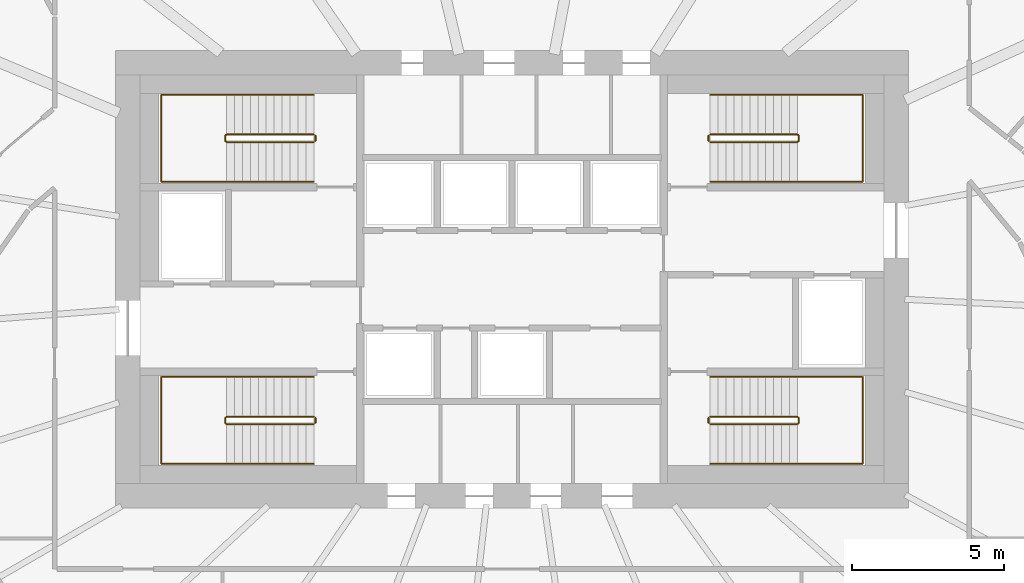
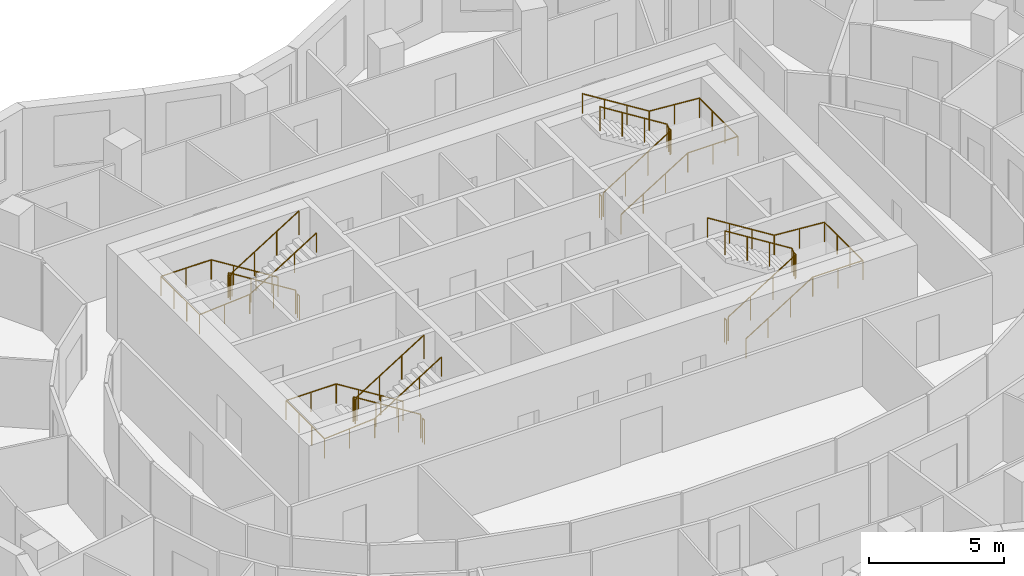
# One storey, part 11 of 11: 12 railings.
"""IFC4 building model written with IfcOpenShell, lengths in metres."""

from ifc_helpers import new_model, si_unit, direction, frame, origin, origin_2d, place, context, subcontext, project, spatial, circle, extrude, material, type_object, element, save


model = new_model("IFC4")

# Units and contexts
model_context = context("Model", 3, precision=1e-05, world=origin(), true_north=direction((0.0, 1.0)))
body_context = subcontext(model_context, "Body", "Model", "MODEL_VIEW")
ifc_project = project(units=[si_unit("LENGTHUNIT", "METRE"), si_unit("AREAUNIT", "SQUARE_METRE"), si_unit("VOLUMEUNIT", "CUBIC_METRE"), si_unit("PLANEANGLEUNIT", "RADIAN"), si_unit("MASSUNIT", "GRAM", prefix="KILO")], contexts=[model_context])

# Site, building, storey
site_placement = place(None, origin())
site = spatial("IfcSite", under=ifc_project, at=site_placement, CompositionType="ELEMENT")
building_placement = place(site_placement, origin())
building = spatial("IfcBuilding", under=site, at=building_placement, Name="Rubra Terraces Tower", CompositionType="ELEMENT")
storey_placement = place(building_placement, frame((0.0, 0.0, 174.0)))
storey = spatial("IfcBuildingStorey", under=building, at=storey_placement, Name="L42", CompositionType="ELEMENT", Elevation=174.0)

# Railings
ifc_material = material(Name="Stainless steel", Category="steel")
railing_type_1 = type_object("IfcRailingType", Name="Core stair guard 1100", PredefinedType="GUARDRAIL", material=ifc_material)
railing_1_placement = place(storey_placement, frame((-6.5, 0.0, 0.16259765625)))
element("IfcRailing", 1, at=railing_1_placement, inside=storey, type_object=railing_type_1, Name="L42 stair S1 guard 1", PredefinedType="GUARDRAIL", context=body_context, shape_type="SweptSolid", body=[
    extrude(circle(Radius=0.02392578125, at=origin_2d()), frame((0.0, 0.0, 1.076171875), z_axis=(-0.848026770018, 0.0, 0.529953391661), x_axis=(0.0, -1.0, 0.0)), (0.0, 0.0, 1.0), 3.37255859375),
    extrude(circle(Radius=0.02392578125, at=origin_2d()), frame((-2.860107421875, 0.0, 2.86328125), z_axis=(-0.705375805398, -0.708833529934, 0.0), x_axis=(0.708833529934, -0.705375805398, 0.0)), (0.0, 0.0, 1.0), 0.070556640625),
    extrude(circle(Radius=0.02392578125, at=origin_2d()), frame((-2.909912109375, -0.050048828125, 2.86328125), z_axis=(0.0, -1.0, 0.0), x_axis=(1.0, 0.0, 0.0)), (0.0, 0.0, 1.0), 0.14990234375),
    extrude(circle(Radius=0.02392578125, at=origin_2d()), frame((-2.909912109375, -0.199951171875, 2.86328125), z_axis=(0.280959487676, -0.282336740067, 0.917250092119), x_axis=(0.708833529934, 0.705375805398, 0.0)), (0.0, 0.0, 1.0), 0.17724609375),
    extrude(circle(Radius=0.02392578125, at=origin_2d()), frame((-2.860107421875, -0.25, 3.02587890625), z_axis=(0.848026770018, 0.0, 0.529953391661), x_axis=(0.0, 1.0, 0.0)), (0.0, 0.0, 1.0), 3.37255859375),
    extrude(circle(Radius=0.02099609375, at=origin_2d()), origin(), (0.0, 0.0, 1.0), 1.052001953125),
    extrude(circle(Radius=0.02099609375, at=origin_2d()), frame((-0.953369140625, 0.0, 0.595703125)), (0.0, 0.0, 1.0), 1.052001953125),
    extrude(circle(Radius=0.02099609375, at=origin_2d()), frame((-1.90673828125, 0.0, 1.191650390625)), (0.0, 0.0, 1.0), 1.052001953125),
    extrude(circle(Radius=0.02099609375, at=origin_2d()), frame((-2.860107421875, 0.0, 1.787353515625)), (0.0, 0.0, 1.0), 1.052001953125),
    extrude(circle(Radius=0.02099609375, at=origin_2d()), frame((-2.909912109375, -0.050048828125, 1.787353515625)), (0.0, 0.0, 1.0), 1.052001953125),
    extrude(circle(Radius=0.02099609375, at=origin_2d()), frame((-2.909912109375, -0.199951171875, 1.787353515625)), (0.0, 0.0, 1.0), 1.052001953125),
    extrude(circle(Radius=0.02099609375, at=origin_2d()), frame((-2.860107421875, -0.25, 1.949951171875)), (0.0, 0.0, 1.0), 1.052001953125),
    extrude(circle(Radius=0.02099609375, at=origin_2d()), frame((-1.90673828125, -0.25, 2.545654296875)), (0.0, 0.0, 1.0), 1.052001953125),
    extrude(circle(Radius=0.02099609375, at=origin_2d()), frame((-0.953369140625, -0.25, 3.1416015625)), (0.0, 0.0, 1.0), 1.052001953125),
    extrude(circle(Radius=0.02099609375, at=origin_2d()), frame((0.0, -0.25, 3.7373046875)), (0.0, 0.0, 1.0), 1.052001953125),
])
railing_2_placement = place(storey_placement, frame((-6.449951171875, -0.050048828125, 0.0)))
element("IfcRailing", 2, at=railing_2_placement, inside=storey, type_object=railing_type_1, Name="L42 stair S1 guard 2", PredefinedType="GUARDRAIL", context=body_context, shape_type="SweptSolid", body=[
    extrude(circle(Radius=0.02392578125, at=origin_2d()), frame((0.0, 0.0, 1.076171875), z_axis=(0.0, -1.0, 0.0), x_axis=(1.0, 0.0, 0.0)), (0.0, 0.0, 1.0), 0.14990234375),
    extrude(circle(Radius=0.02099609375, at=origin_2d()), origin(), (0.0, 0.0, 1.0), 1.052001953125),
    extrude(circle(Radius=0.02099609375, at=origin_2d()), frame((0.0, -0.14990234375, 0.0)), (0.0, 0.0, 1.0), 1.052001953125),
])
railing_3_placement = place(storey_placement, frame((-6.5, 9.25, 0.16259765625)))
element("IfcRailing", 3, at=railing_3_placement, inside=storey, type_object=railing_type_1, Name="L42 stair S2 guard 1", PredefinedType="GUARDRAIL", context=body_context, shape_type="SweptSolid", body=[
    extrude(circle(Radius=0.02392578125, at=origin_2d()), frame((0.0, 0.0, 1.076171875), z_axis=(-0.848026770018, 0.0, 0.529953391661), x_axis=(0.0, -1.0, 0.0)), (0.0, 0.0, 1.0), 3.37255859375),
    extrude(circle(Radius=0.02392578125, at=origin_2d()), frame((-2.860107421875, 0.0, 2.86328125), z_axis=(-0.705375805398, -0.708833529934, 0.0), x_axis=(0.708833529934, -0.705375805398, 0.0)), (0.0, 0.0, 1.0), 0.070556640625),
    extrude(circle(Radius=0.02392578125, at=origin_2d()), frame((-2.909912109375, -0.050048828125, 2.86328125), z_axis=(0.0, -1.0, 0.0), x_axis=(1.0, 0.0, 0.0)), (0.0, 0.0, 1.0), 0.14990234375),
    extrude(circle(Radius=0.02392578125, at=origin_2d()), frame((-2.909912109375, -0.199951171875, 2.86328125), z_axis=(0.280959487676, -0.282336740067, 0.917250092119), x_axis=(0.708833529934, 0.705375805398, 0.0)), (0.0, 0.0, 1.0), 0.17724609375),
    extrude(circle(Radius=0.02392578125, at=origin_2d()), frame((-2.860107421875, -0.25, 3.02587890625), z_axis=(0.848026770018, 0.0, 0.529953391661), x_axis=(0.0, 1.0, 0.0)), (0.0, 0.0, 1.0), 3.37255859375),
    extrude(circle(Radius=0.02099609375, at=origin_2d()), origin(), (0.0, 0.0, 1.0), 1.052001953125),
    extrude(circle(Radius=0.02099609375, at=origin_2d()), frame((-0.953369140625, 0.0, 0.595703125)), (0.0, 0.0, 1.0), 1.052001953125),
    extrude(circle(Radius=0.02099609375, at=origin_2d()), frame((-1.90673828125, 0.0, 1.191650390625)), (0.0, 0.0, 1.0), 1.052001953125),
    extrude(circle(Radius=0.02099609375, at=origin_2d()), frame((-2.860107421875, 0.0, 1.787353515625)), (0.0, 0.0, 1.0), 1.052001953125),
    extrude(circle(Radius=0.02099609375, at=origin_2d()), frame((-2.909912109375, -0.050048828125, 1.787353515625)), (0.0, 0.0, 1.0), 1.052001953125),
    extrude(circle(Radius=0.02099609375, at=origin_2d()), frame((-2.909912109375, -0.199951171875, 1.787353515625)), (0.0, 0.0, 1.0), 1.052001953125),
    extrude(circle(Radius=0.02099609375, at=origin_2d()), frame((-2.860107421875, -0.25, 1.949951171875)), (0.0, 0.0, 1.0), 1.052001953125),
    extrude(circle(Radius=0.02099609375, at=origin_2d()), frame((-1.90673828125, -0.25, 2.545654296875)), (0.0, 0.0, 1.0), 1.052001953125),
    extrude(circle(Radius=0.02099609375, at=origin_2d()), frame((-0.953369140625, -0.25, 3.1416015625)), (0.0, 0.0, 1.0), 1.052001953125),
    extrude(circle(Radius=0.02099609375, at=origin_2d()), frame((0.0, -0.25, 3.7373046875)), (0.0, 0.0, 1.0), 1.052001953125),
])
railing_4_placement = place(storey_placement, frame((-6.449951171875, 9.199951171875, 0.0)))
element("IfcRailing", 4, at=railing_4_placement, inside=storey, type_object=railing_type_1, Name="L42 stair S2 guard 2", PredefinedType="GUARDRAIL", context=body_context, shape_type="SweptSolid", body=[
    extrude(circle(Radius=0.02392578125, at=origin_2d()), frame((0.0, 0.0, 1.076171875), z_axis=(0.0, -1.0, 0.0), x_axis=(1.0, 0.0, 0.0)), (0.0, 0.0, 1.0), 0.14990234375),
    extrude(circle(Radius=0.02099609375, at=origin_2d()), origin(), (0.0, 0.0, 1.0), 1.052001953125),
    extrude(circle(Radius=0.02099609375, at=origin_2d()), frame((0.0, -0.14990234375, 0.0)), (0.0, 0.0, 1.0), 1.052001953125),
])
railing_5_placement = place(storey_placement, frame((6.5, 9.0, 0.16259765625)))
element("IfcRailing", 5, at=railing_5_placement, inside=storey, type_object=railing_type_1, Name="L42 stair S3 guard 1", PredefinedType="GUARDRAIL", context=body_context, shape_type="SweptSolid", body=[
    extrude(circle(Radius=0.02392578125, at=origin_2d()), frame((0.0, 0.0, 1.076171875), z_axis=(0.848026770018, 0.0, 0.529953391661), x_axis=(0.0, 1.0, 0.0)), (0.0, 0.0, 1.0), 3.37255859375),
    extrude(circle(Radius=0.02392578125, at=origin_2d()), frame((2.860107421875, 0.0, 2.86328125), z_axis=(0.705375805398, 0.708833529934, 0.0), x_axis=(-0.708833529934, 0.705375805398, 0.0)), (0.0, 0.0, 1.0), 0.070556640625),
    extrude(circle(Radius=0.02392578125, at=origin_2d()), frame((2.909912109375, 0.050048828125, 2.86328125), z_axis=(0.0, 1.0, 0.0), x_axis=(-1.0, 0.0, 0.0)), (0.0, 0.0, 1.0), 0.14990234375),
    extrude(circle(Radius=0.02392578125, at=origin_2d()), frame((2.909912109375, 0.199951171875, 2.86328125), z_axis=(-0.280959487676, 0.282336740067, 0.917250092119), x_axis=(-0.708833529934, -0.705375805398, 0.0)), (0.0, 0.0, 1.0), 0.17724609375),
    extrude(circle(Radius=0.02392578125, at=origin_2d()), frame((2.860107421875, 0.25, 3.02587890625), z_axis=(-0.848026770018, 0.0, 0.529953391661), x_axis=(0.0, -1.0, 0.0)), (0.0, 0.0, 1.0), 3.37255859375),
    extrude(circle(Radius=0.02099609375, at=origin_2d()), origin(), (0.0, 0.0, 1.0), 1.052001953125),
    extrude(circle(Radius=0.02099609375, at=origin_2d()), frame((0.953369140625, 0.0, 0.595703125)), (0.0, 0.0, 1.0), 1.052001953125),
    extrude(circle(Radius=0.02099609375, at=origin_2d()), frame((1.90673828125, 0.0, 1.191650390625)), (0.0, 0.0, 1.0), 1.052001953125),
    extrude(circle(Radius=0.02099609375, at=origin_2d()), frame((2.860107421875, 0.0, 1.787353515625)), (0.0, 0.0, 1.0), 1.052001953125),
    extrude(circle(Radius=0.02099609375, at=origin_2d()), frame((2.909912109375, 0.050048828125, 1.787353515625)), (0.0, 0.0, 1.0), 1.052001953125),
    extrude(circle(Radius=0.02099609375, at=origin_2d()), frame((2.909912109375, 0.199951171875, 1.787353515625)), (0.0, 0.0, 1.0), 1.052001953125),
    extrude(circle(Radius=0.02099609375, at=origin_2d()), frame((2.860107421875, 0.25, 1.949951171875)), (0.0, 0.0, 1.0), 1.052001953125),
    extrude(circle(Radius=0.02099609375, at=origin_2d()), frame((1.90673828125, 0.25, 2.545654296875)), (0.0, 0.0, 1.0), 1.052001953125),
    extrude(circle(Radius=0.02099609375, at=origin_2d()), frame((0.953369140625, 0.25, 3.1416015625)), (0.0, 0.0, 1.0), 1.052001953125),
    extrude(circle(Radius=0.02099609375, at=origin_2d()), frame((0.0, 0.25, 3.7373046875)), (0.0, 0.0, 1.0), 1.052001953125),
])
railing_6_placement = place(storey_placement, frame((6.449951171875, 9.050048828125, 0.0)))
element("IfcRailing", 6, at=railing_6_placement, inside=storey, type_object=railing_type_1, Name="L42 stair S3 guard 2", PredefinedType="GUARDRAIL", context=body_context, shape_type="SweptSolid", body=[
    extrude(circle(Radius=0.02392578125, at=origin_2d()), frame((0.0, 0.0, 1.076171875), z_axis=(0.0, 1.0, 0.0), x_axis=(-1.0, 0.0, 0.0)), (0.0, 0.0, 1.0), 0.14990234375),
    extrude(circle(Radius=0.02099609375, at=origin_2d()), origin(), (0.0, 0.0, 1.0), 1.052001953125),
    extrude(circle(Radius=0.02099609375, at=origin_2d()), frame((0.0, 0.14990234375, 0.0)), (0.0, 0.0, 1.0), 1.052001953125),
])
railing_7_placement = place(storey_placement, frame((6.5, -0.25, 0.16259765625)))
element("IfcRailing", 7, at=railing_7_placement, inside=storey, type_object=railing_type_1, Name="L42 stair S4 guard 1", PredefinedType="GUARDRAIL", context=body_context, shape_type="SweptSolid", body=[
    extrude(circle(Radius=0.02392578125, at=origin_2d()), frame((0.0, 0.0, 1.076171875), z_axis=(0.848026770018, 0.0, 0.529953391661), x_axis=(0.0, 1.0, 0.0)), (0.0, 0.0, 1.0), 3.37255859375),
    extrude(circle(Radius=0.02392578125, at=origin_2d()), frame((2.860107421875, 0.0, 2.86328125), z_axis=(0.705375805398, 0.708833529934, 0.0), x_axis=(-0.708833529934, 0.705375805398, 0.0)), (0.0, 0.0, 1.0), 0.070556640625),
    extrude(circle(Radius=0.02392578125, at=origin_2d()), frame((2.909912109375, 0.050048828125, 2.86328125), z_axis=(0.0, 1.0, 0.0), x_axis=(-1.0, 0.0, 0.0)), (0.0, 0.0, 1.0), 0.14990234375),
    extrude(circle(Radius=0.02392578125, at=origin_2d()), frame((2.909912109375, 0.199951171875, 2.86328125), z_axis=(-0.280959487676, 0.282336740067, 0.917250092119), x_axis=(-0.708833529934, -0.705375805398, 0.0)), (0.0, 0.0, 1.0), 0.17724609375),
    extrude(circle(Radius=0.02392578125, at=origin_2d()), frame((2.860107421875, 0.25, 3.02587890625), z_axis=(-0.848026770018, 0.0, 0.529953391661), x_axis=(0.0, -1.0, 0.0)), (0.0, 0.0, 1.0), 3.37255859375),
    extrude(circle(Radius=0.02099609375, at=origin_2d()), origin(), (0.0, 0.0, 1.0), 1.052001953125),
    extrude(circle(Radius=0.02099609375, at=origin_2d()), frame((0.953369140625, 0.0, 0.595703125)), (0.0, 0.0, 1.0), 1.052001953125),
    extrude(circle(Radius=0.02099609375, at=origin_2d()), frame((1.90673828125, 0.0, 1.191650390625)), (0.0, 0.0, 1.0), 1.052001953125),
    extrude(circle(Radius=0.02099609375, at=origin_2d()), frame((2.860107421875, 0.0, 1.787353515625)), (0.0, 0.0, 1.0), 1.052001953125),
    extrude(circle(Radius=0.02099609375, at=origin_2d()), frame((2.909912109375, 0.050048828125, 1.787353515625)), (0.0, 0.0, 1.0), 1.052001953125),
    extrude(circle(Radius=0.02099609375, at=origin_2d()), frame((2.909912109375, 0.199951171875, 1.787353515625)), (0.0, 0.0, 1.0), 1.052001953125),
    extrude(circle(Radius=0.02099609375, at=origin_2d()), frame((2.860107421875, 0.25, 1.949951171875)), (0.0, 0.0, 1.0), 1.052001953125),
    extrude(circle(Radius=0.02099609375, at=origin_2d()), frame((1.90673828125, 0.25, 2.545654296875)), (0.0, 0.0, 1.0), 1.052001953125),
    extrude(circle(Radius=0.02099609375, at=origin_2d()), frame((0.953369140625, 0.25, 3.1416015625)), (0.0, 0.0, 1.0), 1.052001953125),
    extrude(circle(Radius=0.02099609375, at=origin_2d()), frame((0.0, 0.25, 3.7373046875)), (0.0, 0.0, 1.0), 1.052001953125),
])
railing_8_placement = place(storey_placement, frame((6.449951171875, -0.199951171875, 0.0)))
element("IfcRailing", 8, at=railing_8_placement, inside=storey, type_object=railing_type_1, Name="L42 stair S4 guard 2", PredefinedType="GUARDRAIL", context=body_context, shape_type="SweptSolid", body=[
    extrude(circle(Radius=0.02392578125, at=origin_2d()), frame((0.0, 0.0, 1.076171875), z_axis=(0.0, 1.0, 0.0), x_axis=(-1.0, 0.0, 0.0)), (0.0, 0.0, 1.0), 0.14990234375),
    extrude(circle(Radius=0.02099609375, at=origin_2d()), origin(), (0.0, 0.0, 1.0), 1.052001953125),
    extrude(circle(Radius=0.02099609375, at=origin_2d()), frame((0.0, 0.14990234375, 0.0)), (0.0, 0.0, 1.0), 1.052001953125),
])
railing_type_2 = type_object("IfcRailingType", Name="Core stair handrail 900", PredefinedType="HANDRAIL", material=ifc_material)
railing_9_placement = place(storey_placement, frame((-6.5, 1.300048828125, 0.16259765625)))
element("IfcRailing", 9, at=railing_9_placement, inside=storey, type_object=railing_type_2, Name="L42 stair S1 handrail 1", PredefinedType="HANDRAIL", context=body_context, shape_type="SweptSolid", body=[
    extrude(circle(Radius=0.02392578125, at=origin_2d()), frame((0.0, 0.0, 0.8759765625), z_axis=(-0.848026770018, 0.0, 0.529953391661), x_axis=(0.0, -1.0, 0.0)), (0.0, 0.0, 1.0), 3.37255859375),
    extrude(circle(Radius=0.02392578125, at=origin_2d()), frame((-2.860107421875, 0.0, 2.6630859375), z_axis=(-1.0, 0.0, 0.0), x_axis=(0.0, -1.0, 0.0)), (0.0, 0.0, 1.0), 2.139892578125),
    extrude(circle(Radius=0.02392578125, at=origin_2d()), frame((-5.0, 0.0, 2.6630859375), z_axis=(0.0, -1.0, 0.0), x_axis=(1.0, 0.0, 0.0)), (0.0, 0.0, 1.0), 2.85009765625),
    extrude(circle(Radius=0.02392578125, at=origin_2d()), frame((-5.0, -2.85009765625, 2.6630859375), z_axis=(0.997125654253, 0.0, 0.075765623016), x_axis=(0.0, 1.0, 0.0)), (0.0, 0.0, 1.0), 2.14599609375),
    extrude(circle(Radius=0.02392578125, at=origin_2d()), frame((-2.860107421875, -2.85009765625, 2.82568359375), z_axis=(0.848026770018, 0.0, 0.529953391661), x_axis=(0.0, 1.0, 0.0)), (0.0, 0.0, 1.0), 3.37255859375),
    extrude(circle(Radius=0.02099609375, at=origin_2d()), origin(), (0.0, 0.0, 1.0), 0.851806640625),
    extrude(circle(Radius=0.02099609375, at=origin_2d()), frame((-0.953369140625, 0.0, 0.595703125)), (0.0, 0.0, 1.0), 0.851806640625),
    extrude(circle(Radius=0.02099609375, at=origin_2d()), frame((-1.90673828125, 0.0, 1.191650390625)), (0.0, 0.0, 1.0), 0.851806640625),
    extrude(circle(Radius=0.02099609375, at=origin_2d()), frame((-2.860107421875, 0.0, 1.787353515625)), (0.0, 0.0, 1.0), 0.851806640625),
    extrude(circle(Radius=0.02099609375, at=origin_2d()), frame((-3.93017578125, 0.0, 1.787353515625)), (0.0, 0.0, 1.0), 0.851806640625),
    extrude(circle(Radius=0.02099609375, at=origin_2d()), frame((-5.0, 0.0, 1.787353515625)), (0.0, 0.0, 1.0), 0.851806640625),
    extrude(circle(Radius=0.02099609375, at=origin_2d()), frame((-5.0, -0.949951171875, 1.787353515625)), (0.0, 0.0, 1.0), 0.851806640625),
    extrude(circle(Radius=0.02099609375, at=origin_2d()), frame((-5.0, -1.900146484375, 1.787353515625)), (0.0, 0.0, 1.0), 0.851806640625),
    extrude(circle(Radius=0.02099609375, at=origin_2d()), frame((-5.0, -2.85009765625, 1.787353515625)), (0.0, 0.0, 1.0), 0.851806640625),
    extrude(circle(Radius=0.02099609375, at=origin_2d()), frame((-3.93017578125, -2.85009765625, 1.86865234375)), (0.0, 0.0, 1.0), 0.851806640625),
    extrude(circle(Radius=0.02099609375, at=origin_2d()), frame((-2.860107421875, -2.85009765625, 1.949951171875)), (0.0, 0.0, 1.0), 0.851806640625),
    extrude(circle(Radius=0.02099609375, at=origin_2d()), frame((-1.90673828125, -2.85009765625, 2.545654296875)), (0.0, 0.0, 1.0), 0.851806640625),
    extrude(circle(Radius=0.02099609375, at=origin_2d()), frame((-0.953369140625, -2.85009765625, 3.1416015625)), (0.0, 0.0, 1.0), 0.851806640625),
    extrude(circle(Radius=0.02099609375, at=origin_2d()), frame((0.0, -2.85009765625, 3.7373046875)), (0.0, 0.0, 1.0), 0.851806640625),
])
railing_10_placement = place(storey_placement, frame((-6.5, 10.550048828125, 0.16259765625)))
element("IfcRailing", 10, at=railing_10_placement, inside=storey, type_object=railing_type_2, Name="L42 stair S2 handrail 1", PredefinedType="HANDRAIL", context=body_context, shape_type="SweptSolid", body=[
    extrude(circle(Radius=0.02392578125, at=origin_2d()), frame((0.0, 0.0, 0.8759765625), z_axis=(-0.848026770018, 0.0, 0.529953391661), x_axis=(0.0, -1.0, 0.0)), (0.0, 0.0, 1.0), 3.37255859375),
    extrude(circle(Radius=0.02392578125, at=origin_2d()), frame((-2.860107421875, 0.0, 2.6630859375), z_axis=(-1.0, 0.0, 0.0), x_axis=(0.0, -1.0, 0.0)), (0.0, 0.0, 1.0), 2.139892578125),
    extrude(circle(Radius=0.02392578125, at=origin_2d()), frame((-5.0, 0.0, 2.6630859375), z_axis=(0.0, -1.0, 0.0), x_axis=(1.0, 0.0, 0.0)), (0.0, 0.0, 1.0), 2.85009765625),
    extrude(circle(Radius=0.02392578125, at=origin_2d()), frame((-5.0, -2.85009765625, 2.6630859375), z_axis=(0.997125654253, 0.0, 0.075765623016), x_axis=(0.0, 1.0, 0.0)), (0.0, 0.0, 1.0), 2.14599609375),
    extrude(circle(Radius=0.02392578125, at=origin_2d()), frame((-2.860107421875, -2.85009765625, 2.82568359375), z_axis=(0.848026770018, 0.0, 0.529953391661), x_axis=(0.0, 1.0, 0.0)), (0.0, 0.0, 1.0), 3.37255859375),
    extrude(circle(Radius=0.02099609375, at=origin_2d()), origin(), (0.0, 0.0, 1.0), 0.851806640625),
    extrude(circle(Radius=0.02099609375, at=origin_2d()), frame((-0.953369140625, 0.0, 0.595703125)), (0.0, 0.0, 1.0), 0.851806640625),
    extrude(circle(Radius=0.02099609375, at=origin_2d()), frame((-1.90673828125, 0.0, 1.191650390625)), (0.0, 0.0, 1.0), 0.851806640625),
    extrude(circle(Radius=0.02099609375, at=origin_2d()), frame((-2.860107421875, 0.0, 1.787353515625)), (0.0, 0.0, 1.0), 0.851806640625),
    extrude(circle(Radius=0.02099609375, at=origin_2d()), frame((-3.93017578125, 0.0, 1.787353515625)), (0.0, 0.0, 1.0), 0.851806640625),
    extrude(circle(Radius=0.02099609375, at=origin_2d()), frame((-5.0, 0.0, 1.787353515625)), (0.0, 0.0, 1.0), 0.851806640625),
    extrude(circle(Radius=0.02099609375, at=origin_2d()), frame((-5.0, -0.949951171875, 1.787353515625)), (0.0, 0.0, 1.0), 0.851806640625),
    extrude(circle(Radius=0.02099609375, at=origin_2d()), frame((-5.0, -1.900146484375, 1.787353515625)), (0.0, 0.0, 1.0), 0.851806640625),
    extrude(circle(Radius=0.02099609375, at=origin_2d()), frame((-5.0, -2.85009765625, 1.787353515625)), (0.0, 0.0, 1.0), 0.851806640625),
    extrude(circle(Radius=0.02099609375, at=origin_2d()), frame((-3.93017578125, -2.85009765625, 1.86865234375)), (0.0, 0.0, 1.0), 0.851806640625),
    extrude(circle(Radius=0.02099609375, at=origin_2d()), frame((-2.860107421875, -2.85009765625, 1.949951171875)), (0.0, 0.0, 1.0), 0.851806640625),
    extrude(circle(Radius=0.02099609375, at=origin_2d()), frame((-1.90673828125, -2.85009765625, 2.545654296875)), (0.0, 0.0, 1.0), 0.851806640625),
    extrude(circle(Radius=0.02099609375, at=origin_2d()), frame((-0.953369140625, -2.85009765625, 3.1416015625)), (0.0, 0.0, 1.0), 0.851806640625),
    extrude(circle(Radius=0.02099609375, at=origin_2d()), frame((0.0, -2.85009765625, 3.7373046875)), (0.0, 0.0, 1.0), 0.851806640625),
])
railing_11_placement = place(storey_placement, frame((6.5, 7.699951171875, 0.16259765625)))
element("IfcRailing", 11, at=railing_11_placement, inside=storey, type_object=railing_type_2, Name="L42 stair S3 handrail 1", PredefinedType="HANDRAIL", context=body_context, shape_type="SweptSolid", body=[
    extrude(circle(Radius=0.02392578125, at=origin_2d()), frame((0.0, 0.0, 0.8759765625), z_axis=(0.848026770018, 0.0, 0.529953391661), x_axis=(0.0, 1.0, 0.0)), (0.0, 0.0, 1.0), 3.37255859375),
    extrude(circle(Radius=0.02392578125, at=origin_2d()), frame((2.860107421875, 0.0, 2.6630859375), z_axis=(1.0, 0.0, 0.0), x_axis=(0.0, 1.0, 0.0)), (0.0, 0.0, 1.0), 2.139892578125),
    extrude(circle(Radius=0.02392578125, at=origin_2d()), frame((5.0, 0.0, 2.6630859375), z_axis=(0.0, 1.0, 0.0), x_axis=(-1.0, 0.0, 0.0)), (0.0, 0.0, 1.0), 2.85009765625),
    extrude(circle(Radius=0.02392578125, at=origin_2d()), frame((5.0, 2.85009765625, 2.6630859375), z_axis=(-0.997125654253, 0.0, 0.075765623016), x_axis=(0.0, -1.0, 0.0)), (0.0, 0.0, 1.0), 2.14599609375),
    extrude(circle(Radius=0.02392578125, at=origin_2d()), frame((2.860107421875, 2.85009765625, 2.82568359375), z_axis=(-0.848026770018, 0.0, 0.529953391661), x_axis=(0.0, -1.0, 0.0)), (0.0, 0.0, 1.0), 3.37255859375),
    extrude(circle(Radius=0.02099609375, at=origin_2d()), origin(), (0.0, 0.0, 1.0), 0.851806640625),
    extrude(circle(Radius=0.02099609375, at=origin_2d()), frame((0.953369140625, 0.0, 0.595703125)), (0.0, 0.0, 1.0), 0.851806640625),
    extrude(circle(Radius=0.02099609375, at=origin_2d()), frame((1.90673828125, 0.0, 1.191650390625)), (0.0, 0.0, 1.0), 0.851806640625),
    extrude(circle(Radius=0.02099609375, at=origin_2d()), frame((2.860107421875, 0.0, 1.787353515625)), (0.0, 0.0, 1.0), 0.851806640625),
    extrude(circle(Radius=0.02099609375, at=origin_2d()), frame((3.93017578125, 0.0, 1.787353515625)), (0.0, 0.0, 1.0), 0.851806640625),
    extrude(circle(Radius=0.02099609375, at=origin_2d()), frame((5.0, 0.0, 1.787353515625)), (0.0, 0.0, 1.0), 0.851806640625),
    extrude(circle(Radius=0.02099609375, at=origin_2d()), frame((5.0, 0.949951171875, 1.787353515625)), (0.0, 0.0, 1.0), 0.851806640625),
    extrude(circle(Radius=0.02099609375, at=origin_2d()), frame((5.0, 1.900146484375, 1.787353515625)), (0.0, 0.0, 1.0), 0.851806640625),
    extrude(circle(Radius=0.02099609375, at=origin_2d()), frame((5.0, 2.85009765625, 1.787353515625)), (0.0, 0.0, 1.0), 0.851806640625),
    extrude(circle(Radius=0.02099609375, at=origin_2d()), frame((3.93017578125, 2.85009765625, 1.86865234375)), (0.0, 0.0, 1.0), 0.851806640625),
    extrude(circle(Radius=0.02099609375, at=origin_2d()), frame((2.860107421875, 2.85009765625, 1.949951171875)), (0.0, 0.0, 1.0), 0.851806640625),
    extrude(circle(Radius=0.02099609375, at=origin_2d()), frame((1.90673828125, 2.85009765625, 2.545654296875)), (0.0, 0.0, 1.0), 0.851806640625),
    extrude(circle(Radius=0.02099609375, at=origin_2d()), frame((0.953369140625, 2.85009765625, 3.1416015625)), (0.0, 0.0, 1.0), 0.851806640625),
    extrude(circle(Radius=0.02099609375, at=origin_2d()), frame((0.0, 2.85009765625, 3.7373046875)), (0.0, 0.0, 1.0), 0.851806640625),
])
railing_12_placement = place(storey_placement, frame((6.5, -1.550048828125, 0.16259765625)))
element("IfcRailing", 12, at=railing_12_placement, inside=storey, type_object=railing_type_2, Name="L42 stair S4 handrail 1", PredefinedType="HANDRAIL", context=body_context, shape_type="SweptSolid", body=[
    extrude(circle(Radius=0.02392578125, at=origin_2d()), frame((0.0, 0.0, 0.8759765625), z_axis=(0.848026770018, 0.0, 0.529953391661), x_axis=(0.0, 1.0, 0.0)), (0.0, 0.0, 1.0), 3.37255859375),
    extrude(circle(Radius=0.02392578125, at=origin_2d()), frame((2.860107421875, 0.0, 2.6630859375), z_axis=(1.0, 0.0, 0.0), x_axis=(0.0, 1.0, 0.0)), (0.0, 0.0, 1.0), 2.139892578125),
    extrude(circle(Radius=0.02392578125, at=origin_2d()), frame((5.0, 0.0, 2.6630859375), z_axis=(0.0, 1.0, 0.0), x_axis=(-1.0, 0.0, 0.0)), (0.0, 0.0, 1.0), 2.85009765625),
    extrude(circle(Radius=0.02392578125, at=origin_2d()), frame((5.0, 2.85009765625, 2.6630859375), z_axis=(-0.997125654253, 0.0, 0.075765623016), x_axis=(0.0, -1.0, 0.0)), (0.0, 0.0, 1.0), 2.14599609375),
    extrude(circle(Radius=0.02392578125, at=origin_2d()), frame((2.860107421875, 2.85009765625, 2.82568359375), z_axis=(-0.848026770018, 0.0, 0.529953391661), x_axis=(0.0, -1.0, 0.0)), (0.0, 0.0, 1.0), 3.37255859375),
    extrude(circle(Radius=0.02099609375, at=origin_2d()), origin(), (0.0, 0.0, 1.0), 0.851806640625),
    extrude(circle(Radius=0.02099609375, at=origin_2d()), frame((0.953369140625, 0.0, 0.595703125)), (0.0, 0.0, 1.0), 0.851806640625),
    extrude(circle(Radius=0.02099609375, at=origin_2d()), frame((1.90673828125, 0.0, 1.191650390625)), (0.0, 0.0, 1.0), 0.851806640625),
    extrude(circle(Radius=0.02099609375, at=origin_2d()), frame((2.860107421875, 0.0, 1.787353515625)), (0.0, 0.0, 1.0), 0.851806640625),
    extrude(circle(Radius=0.02099609375, at=origin_2d()), frame((3.93017578125, 0.0, 1.787353515625)), (0.0, 0.0, 1.0), 0.851806640625),
    extrude(circle(Radius=0.02099609375, at=origin_2d()), frame((5.0, 0.0, 1.787353515625)), (0.0, 0.0, 1.0), 0.851806640625),
    extrude(circle(Radius=0.02099609375, at=origin_2d()), frame((5.0, 0.949951171875, 1.787353515625)), (0.0, 0.0, 1.0), 0.851806640625),
    extrude(circle(Radius=0.02099609375, at=origin_2d()), frame((5.0, 1.900146484375, 1.787353515625)), (0.0, 0.0, 1.0), 0.851806640625),
    extrude(circle(Radius=0.02099609375, at=origin_2d()), frame((5.0, 2.85009765625, 1.787353515625)), (0.0, 0.0, 1.0), 0.851806640625),
    extrude(circle(Radius=0.02099609375, at=origin_2d()), frame((3.93017578125, 2.85009765625, 1.86865234375)), (0.0, 0.0, 1.0), 0.851806640625),
    extrude(circle(Radius=0.02099609375, at=origin_2d()), frame((2.860107421875, 2.85009765625, 1.949951171875)), (0.0, 0.0, 1.0), 0.851806640625),
    extrude(circle(Radius=0.02099609375, at=origin_2d()), frame((1.90673828125, 2.85009765625, 2.545654296875)), (0.0, 0.0, 1.0), 0.851806640625),
    extrude(circle(Radius=0.02099609375, at=origin_2d()), frame((0.953369140625, 2.85009765625, 3.1416015625)), (0.0, 0.0, 1.0), 0.851806640625),
    extrude(circle(Radius=0.02099609375, at=origin_2d()), frame((0.0, 2.85009765625, 3.7373046875)), (0.0, 0.0, 1.0), 0.851806640625),
])

save(model, "model.ifc")
